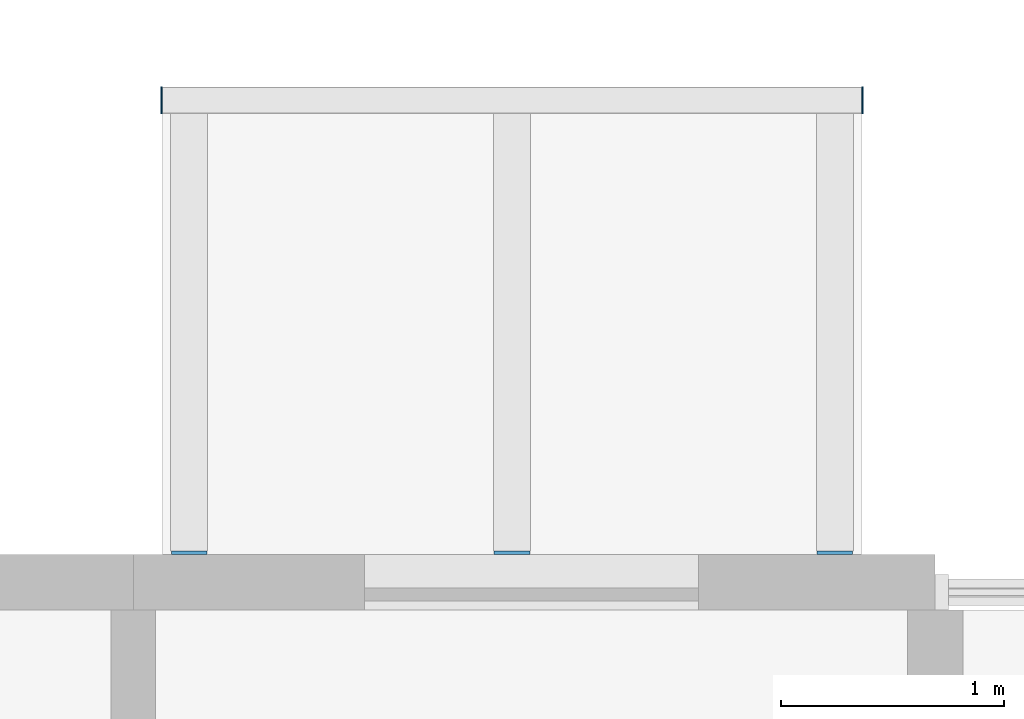
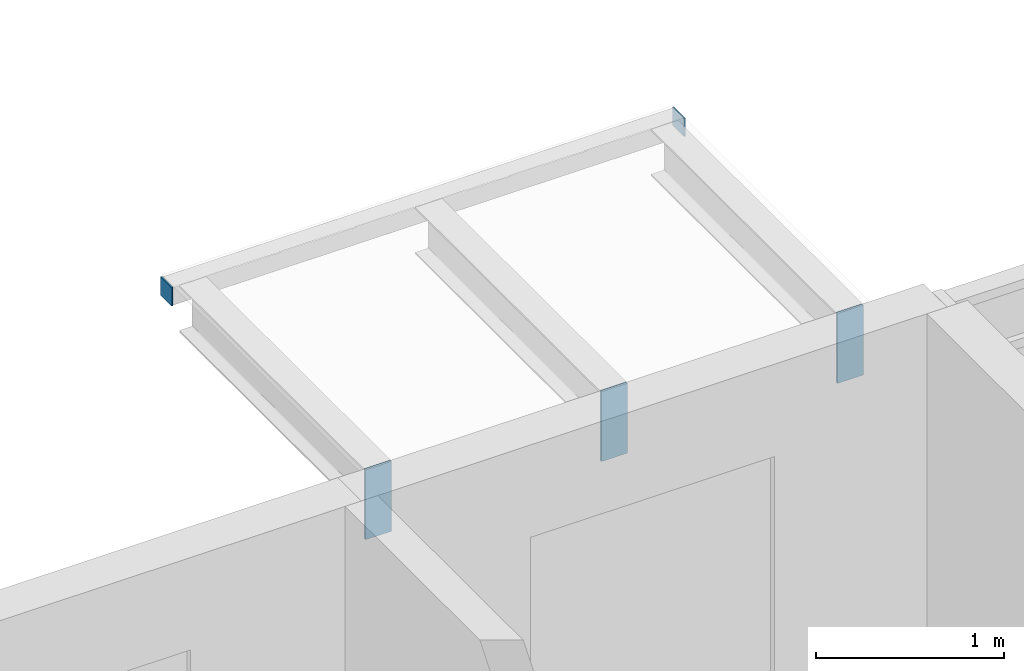
# One storey, part 75 of 99: 5 discrete accessories.
"""IFC4 building model written with IfcOpenShell, lengths in metres."""

from ifc_helpers import new_model, si_unit, direction, frame, origin, origin_2d, place, context, subcontext, project, spatial, rectangle, extrude, material, layer, layer_set, type_object, element, save


model = new_model("IFC4")

# Units and contexts
model_context = context("Model", 3, precision=1e-05, world=origin(), true_north=direction((0.0, 1.0)))
body_context = subcontext(model_context, "Body", "Model", "MODEL_VIEW")
ifc_project = project(units=[si_unit("LENGTHUNIT", "METRE"), si_unit("AREAUNIT", "SQUARE_METRE"), si_unit("VOLUMEUNIT", "CUBIC_METRE"), si_unit("PLANEANGLEUNIT", "RADIAN"), si_unit("MASSUNIT", "GRAM", prefix="KILO")], contexts=[model_context])

# Site, building, storey
site_placement = place(None, origin())
site = spatial("IfcSite", under=ifc_project, at=site_placement, CompositionType="ELEMENT")
building_placement = place(site_placement, origin())
building = spatial("IfcBuilding", under=site, at=building_placement, Name="Ridgestep Commons", CompositionType="ELEMENT")
storey_placement = place(building_placement, frame((0.0, 0.0, 15.0)))
storey = spatial("IfcBuildingStorey", under=building, at=storey_placement, Name="L05", CompositionType="ELEMENT", Elevation=15.0)

# Discrete accessories
ifc_material_1 = material(Name="Weathering steel S355J2W", Category="steel")
ifc_layer_1 = layer(ifc_material_1, 0.014892578125)
ifc_layer_set_1 = layer_set([ifc_layer_1], Name="Tray bracket plate 15")
discrete_accessory_type_1 = type_object("IfcDiscreteAccessoryType", Name="Tray bracket plate 15", PredefinedType="BRACKET", material=ifc_layer_set_1)
for number, where, z_axis, x_axis, name in (
    (1, (221.449951171875, 77.257568359375, 2.53662109375), (0.0, 0.0, 1.0), (1.0, 0.0, 0.0), "Tray bracket C5T3-06.1"),
    (2, (222.89990234375, 77.257568359375, 2.53662109375), (0.0, 0.0, 1.0), (1.0, 0.0, 0.0), "Tray bracket C5T3-06.2"),
    (3, (224.35009765625, 77.257568359375, 2.53662109375), (0.0, 0.0, 1.0), (1.0, 0.0, 0.0), "Tray bracket C5T3-06.3"),
):
    element("IfcDiscreteAccessory", number, at=place(storey_placement, frame(where, z_axis=z_axis, x_axis=x_axis)), inside=storey, type_object=discrete_accessory_type_1, Name=name, PredefinedType="BRACKET", context=body_context, shape_type="SweptSolid", body=[
        extrude(rectangle(XDim=0.159912109375, YDim=0.014892578125, at=origin_2d()), origin(), (0.0, 0.0, 1.0), 0.453369140625),
    ])
ifc_material_2 = material(Name="Weathering steel S355J2W", Category="steel")
ifc_layer_2 = layer(ifc_material_2, 0.008056640625)
ifc_layer_set_2 = layer_set([ifc_layer_2], Name="Tray edge member end plate 120 x 120 x 8")
discrete_accessory_type_2 = type_object("IfcDiscreteAccessoryType", Name="Tray edge member end plate 120 x 120 x 8", PredefinedType="BRACKET", material=ifc_layer_set_2)
for number, where, z_axis, x_axis, name in (
    (4, (221.325927734375, 79.2900390625, 2.869873046875), (0.0, 0.0, 1.0), (1.0, 0.0, 0.0), "Tray edge member end plate C5T3-06 west"),
    (5, (224.47412109375, 79.2900390625, 2.869873046875), (0.0, 0.0, 1.0), (1.0, 0.0, 0.0), "Tray edge member end plate C5T3-06 east"),
):
    element("IfcDiscreteAccessory", number, at=place(storey_placement, frame(where, z_axis=z_axis, x_axis=x_axis)), inside=storey, type_object=discrete_accessory_type_2, Name=name, PredefinedType="BRACKET", context=body_context, shape_type="SweptSolid", body=[
        extrude(rectangle(XDim=0.008056640625, YDim=0.1201171875, at=origin_2d()), origin(), (0.0, 0.0, 1.0), 0.1201171875),
    ])

save(model, "model.ifc")
